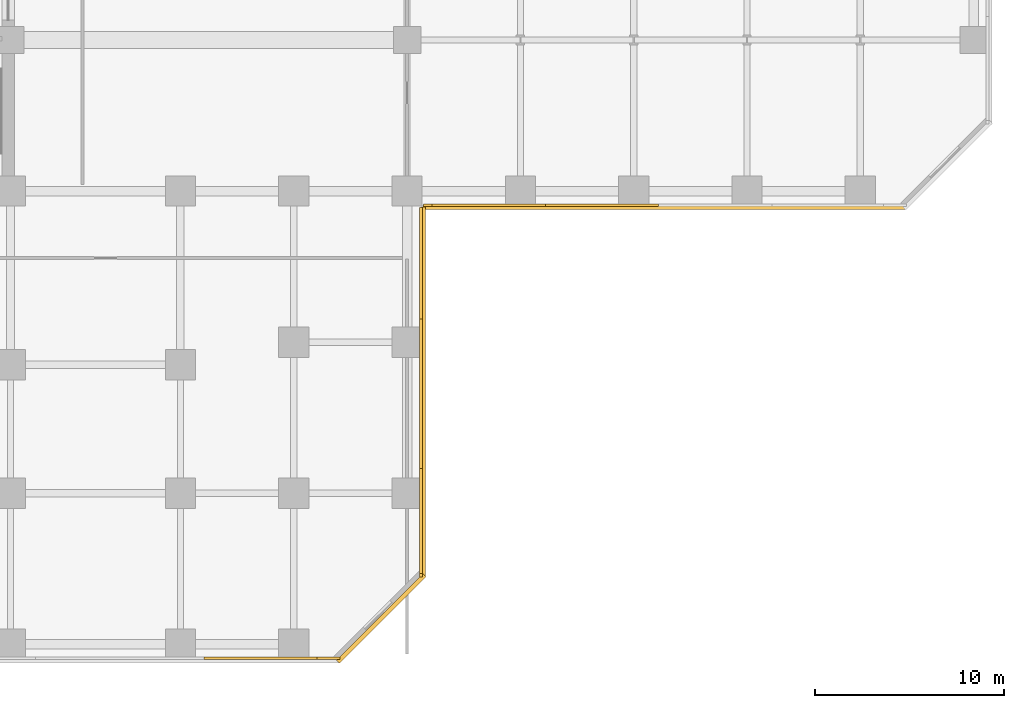
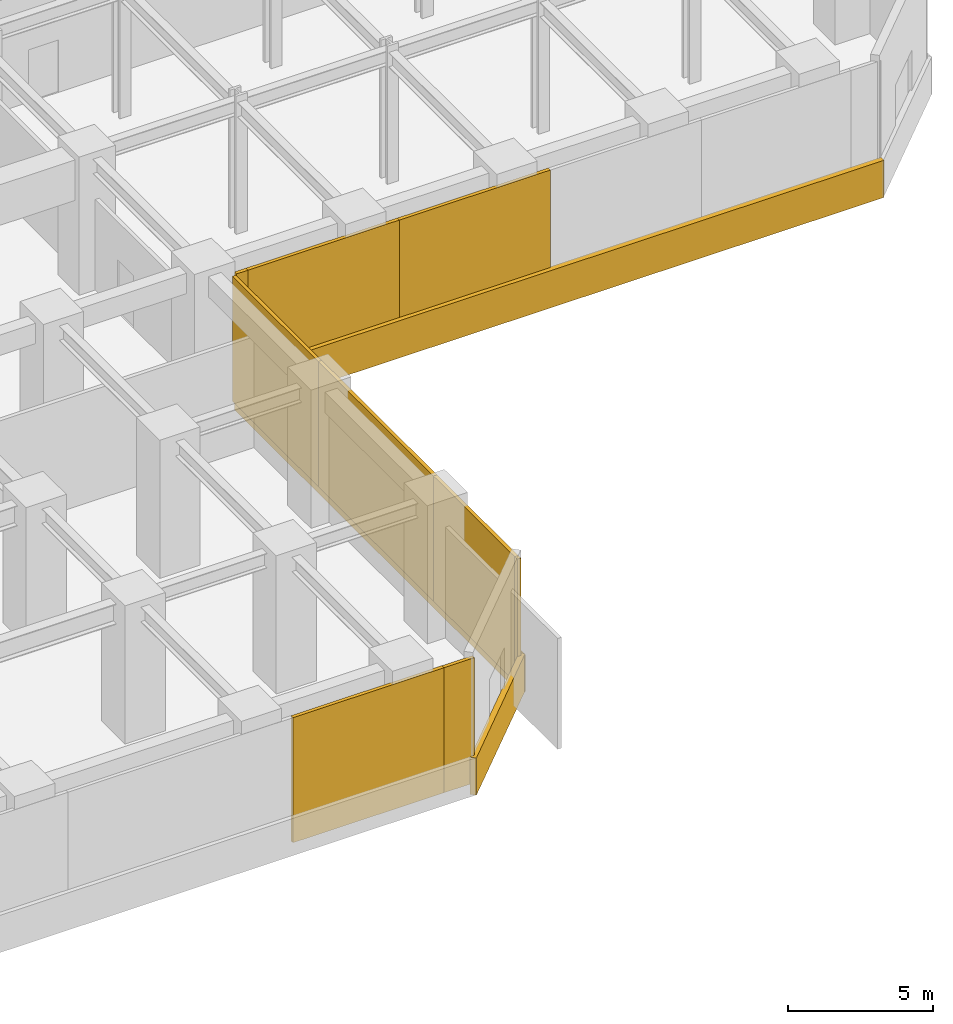
# One storey, part 10 of 12: 12 coverings.
"""IFC4 building model written with IfcOpenShell, lengths in metres."""

from ifc_helpers import new_model, si_unit, direction, frame, origin, origin_2d, place, context, subcontext, project, spatial, rectangle, extrude, source, transform, mapped, material, layer, layer_set, type_object, element, save


model = new_model("IFC4")

# Units and contexts
model_context = context("Model", 3, precision=1e-05, world=origin(), true_north=direction((0.0, 1.0)))
body_context = subcontext(model_context, "Body", "Model", "MODEL_VIEW")
ifc_project = project(units=[si_unit("LENGTHUNIT", "METRE"), si_unit("AREAUNIT", "SQUARE_METRE"), si_unit("VOLUMEUNIT", "CUBIC_METRE"), si_unit("PLANEANGLEUNIT", "RADIAN"), si_unit("MASSUNIT", "GRAM", prefix="KILO")], contexts=[model_context])

# Site, building, storey
site_placement = place(None, origin())
site = spatial("IfcSite", under=ifc_project, at=site_placement, CompositionType="ELEMENT")
building_placement = place(site_placement, origin())
building = spatial("IfcBuilding", under=site, at=building_placement, Name="Torre Montelarca", CompositionType="ELEMENT")
storey_placement = place(building_placement, frame((0.0, 0.0, 22.199951171875)))
storey = spatial("IfcBuildingStorey", under=building, at=storey_placement, Name="L05", CompositionType="ELEMENT", Elevation=22.199951171875)

# Coverings
ifc_material = material(Name="Bush-hammered warm white precast concrete C45/55", Category="concrete")
ifc_layer = layer(ifc_material, 0.139892578125, Name="Bush-hammered warm white precast concrete C45/55", Category="concrete")
ifc_layer_set = layer_set([ifc_layer], Name="Bush-hammered warm white precast concrete C45/55")
covering_type = type_object("IfcCoveringType", Name="COV-TRAY-CLAD", PredefinedType="CLADDING", material=ifc_layer_set)
shared_shape_1 = source(origin(), body_context, "Body", "SweptSolid", [
    extrude(rectangle(XDim=6.48388671875, YDim=0.219970703125, at=origin_2d()), origin(), (0.0, 0.0, 1.0), 1.56005859375),
])
covering_1_placement = place(storey_placement, frame((46.62890625, 1.37109375, -0.39990234375), z_axis=(0.0, 0.0, 1.0), x_axis=(0.707106781187, 0.707106781187, 0.0)))
element("IfcCovering", 1, at=covering_1_placement, inside=storey, type_object=covering_type, Name="L05 Architectural White Spandrel Tray Band PODBOT-02", PredefinedType="CLADDING", context=body_context, shape_type="MappedRepresentation", body=[
    mapped(shared_shape_1, transform((0.0, 0.0, 0.0), scale=1.0)),
])
shared_shape_2 = source(origin(), body_context, "Body", "SweptSolid", [
    extrude(rectangle(XDim=19.6201171875, YDim=0.219970703125, at=origin_2d()), origin(), (0.0, 0.0, 1.0), 1.56005859375),
])
covering_2_placement = place(storey_placement, frame((48.8701171875, 13.35009765625, -0.39990234375), z_axis=(0.0, 0.0, 1.0), x_axis=(0.0, 1.0, 0.0)))
element("IfcCovering", 2, at=covering_2_placement, inside=storey, type_object=covering_type, Name="L05 Architectural White Spandrel Tray Band PODBOT-03", PredefinedType="CLADDING", context=body_context, shape_type="MappedRepresentation", body=[
    mapped(shared_shape_2, transform((0.0, 0.0, 0.0), scale=1.0)),
])
shared_shape_3 = source(origin(), body_context, "Body", "SweptSolid", [
    extrude(rectangle(XDim=25.6201171875, YDim=0.219970703125, at=origin_2d()), origin(), (0.0, 0.0, 1.0), 1.56005859375),
])
covering_3_placement = place(storey_placement, frame((61.64990234375, 23.1298828125, -0.39990234375), z_axis=(0.0, 0.0, 1.0), x_axis=(1.0, 0.0, 0.0)))
element("IfcCovering", 3, at=covering_3_placement, inside=storey, type_object=covering_type, Name="L05 Architectural White Spandrel Tray Band PODBOT-04", PredefinedType="CLADDING", context=body_context, shape_type="MappedRepresentation", body=[
    mapped(shared_shape_3, transform((0.0, 0.0, 0.0), scale=1.0)),
])
shared_shape_4 = source(origin(), body_context, "Body", "SweptSolid", [
    extrude(rectangle(XDim=0.179931640625, YDim=0.139892578125, at=origin_2d()), origin(), (0.0, 0.0, 1.0), 5.25),
])
covering_4_placement = place(storey_placement, frame((48.739990234375, 3.64990234375, 0.0), z_axis=(0.0, 0.0, 1.0), x_axis=(0.0, 1.0, 0.0)))
element("IfcCovering", 4, at=covering_4_placement, inside=storey, type_object=covering_type, Name="L05 Architectural Column Pier Cladding E03-1", PredefinedType="CLADDING", context=body_context, shape_type="MappedRepresentation", body=[
    mapped(shared_shape_4, transform((0.0, 0.0, 0.0), scale=1.0)),
])
shared_shape_5 = source(origin(), body_context, "Body", "SweptSolid", [
    extrude(rectangle(XDim=6.080078125, YDim=0.139892578125, at=origin_2d()), origin(), (0.0, 0.0, 1.0), 5.25),
])
for number, where, z_axis, x_axis, name in (
    (5, (40.280029296875, -0.739990234375, 0.0), (0.0, 0.0, 1.0), (1.0, 0.0, 0.0), "L05 Architectural Column Pier Cladding E01-6"),
    (6, (52.280029296875, 23.260009765625, 0.0), (0.0, 0.0, 1.0), (1.0, 0.0, 0.0), "L05 Architectural Column Pier Cladding E04-2"),
    (7, (58.280029296875, 23.260009765625, 0.0), (0.0, 0.0, 1.0), (1.0, 0.0, 0.0), "L05 Architectural Column Pier Cladding E04-3"),
):
    element("IfcCovering", number, at=place(storey_placement, frame(where, z_axis=z_axis, x_axis=x_axis)), inside=storey, type_object=covering_type, Name=name, PredefinedType="CLADDING", context=body_context, shape_type="MappedRepresentation", body=[
        mapped(shared_shape_5, transform((0.0, 0.0, 0.0), scale=1.0)),
    ])
shared_shape_6 = source(origin(), body_context, "Body", "SweptSolid", [
    extrude(rectangle(XDim=1.199951171875, YDim=0.139892578125, at=origin_2d()), origin(), (0.0, 0.0, 1.0), 5.25),
])
covering_5_placement = place(storey_placement, frame((43.840087890625, -0.739990234375, 0.0), z_axis=(0.0, 0.0, 1.0), x_axis=(1.0, 0.0, 0.0)))
element("IfcCovering", 8, at=covering_5_placement, inside=storey, type_object=covering_type, Name="L05 Architectural Column Pier Cladding E01-7", PredefinedType="CLADDING", context=body_context, shape_type="MappedRepresentation", body=[
    mapped(shared_shape_6, transform((0.0, 0.0, 0.0), scale=1.0)),
])
shared_shape_7 = source(origin(), body_context, "Body", "SweptSolid", [
    extrude(rectangle(XDim=5.659912109375, YDim=0.139892578125, at=origin_2d()), origin(), (0.0, 0.0, 1.0), 5.25),
])
covering_6_placement = place(storey_placement, frame((48.739990234375, 6.489990234375, 0.0), z_axis=(0.0, 0.0, 1.0), x_axis=(0.0, 1.0, 0.0)))
element("IfcCovering", 9, at=covering_6_placement, inside=storey, type_object=covering_type, Name="L05 Architectural Column Pier Cladding E03-2", PredefinedType="CLADDING", context=body_context, shape_type="MappedRepresentation", body=[
    mapped(shared_shape_7, transform((0.0, 0.0, 0.0), scale=1.0)),
])
shared_shape_8 = source(origin(), body_context, "Body", "SweptSolid", [
    extrude(rectangle(XDim=8.080078125, YDim=0.139892578125, at=origin_2d()), origin(), (0.0, 0.0, 1.0), 5.25),
])
covering_7_placement = place(storey_placement, frame((48.739990234375, 13.280029296875, 0.0), z_axis=(0.0, 0.0, 1.0), x_axis=(0.0, 1.0, 0.0)))
element("IfcCovering", 10, at=covering_7_placement, inside=storey, type_object=covering_type, Name="L05 Architectural Column Pier Cladding E03-3", PredefinedType="CLADDING", context=body_context, shape_type="MappedRepresentation", body=[
    mapped(shared_shape_8, transform((0.0, 0.0, 0.0), scale=1.0)),
])
shared_shape_9 = source(origin(), body_context, "Body", "SweptSolid", [
    extrude(rectangle(XDim=5.89990234375, YDim=0.139892578125, at=origin_2d()), origin(), (0.0, 0.0, 1.0), 5.25),
])
covering_8_placement = place(storey_placement, frame((48.739990234375, 20.18994140625, 0.0), z_axis=(0.0, 0.0, 1.0), x_axis=(0.0, 1.0, 0.0)))
element("IfcCovering", 11, at=covering_8_placement, inside=storey, type_object=covering_type, Name="L05 Architectural Column Pier Cladding E03-4", PredefinedType="CLADDING", context=body_context, shape_type="MappedRepresentation", body=[
    mapped(shared_shape_9, transform((0.0, 0.0, 0.0), scale=1.0)),
])
shared_shape_10 = source(origin(), body_context, "Body", "SweptSolid", [
    extrude(rectangle(XDim=0.4599609375, YDim=0.139892578125, at=origin_2d()), origin(), (0.0, 0.0, 1.0), 5.25),
])
covering_9_placement = place(storey_placement, frame((49.090087890625, 23.260009765625, 0.0), z_axis=(0.0, 0.0, 1.0), x_axis=(1.0, 0.0, 0.0)))
element("IfcCovering", 12, at=covering_9_placement, inside=storey, type_object=covering_type, Name="L05 Architectural Column Pier Cladding E04-1", PredefinedType="CLADDING", context=body_context, shape_type="MappedRepresentation", body=[
    mapped(shared_shape_10, transform((0.0, 0.0, 0.0), scale=1.0)),
])

save(model, "model.ifc")
